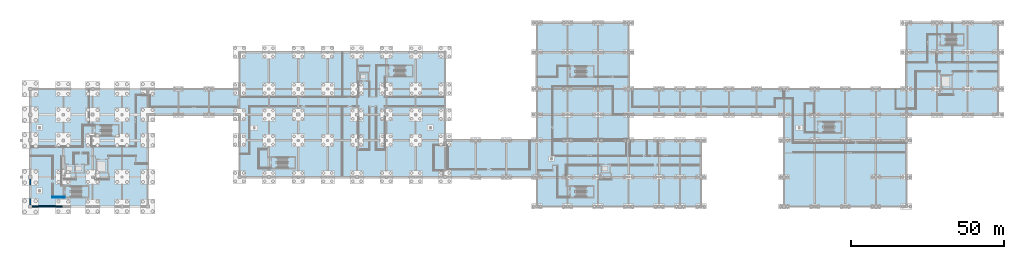
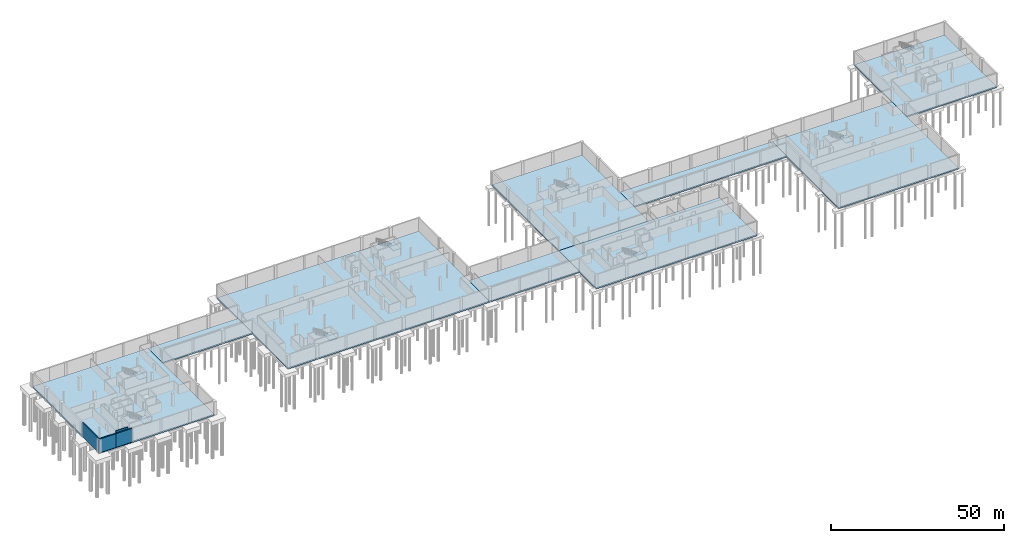
# One storey, part 11 of 28: 17 slabs, 4 walls, 8 elements without a shape of their own.
"""IFC4 building model written with IfcOpenShell, lengths in metres."""

from ifc_helpers import new_model, si_unit, direction, frame, frame_2d, origin, place, context, subcontext, project, spatial, polyline, rectangle, outline, extrude, material, layer, layer_set, type_object, element, aggregate, save


model = new_model("IFC4")

# Units and contexts
model_context = context("Model", 3, precision=1e-05, world=origin(), true_north=direction((0.0, 1.0)))
body_context = subcontext(model_context, "Body", "Model", "MODEL_VIEW")
ifc_project = project(units=[si_unit("LENGTHUNIT", "METRE"), si_unit("AREAUNIT", "SQUARE_METRE"), si_unit("VOLUMEUNIT", "CUBIC_METRE"), si_unit("PLANEANGLEUNIT", "RADIAN"), si_unit("MASSUNIT", "GRAM", prefix="KILO")], contexts=[model_context])

# Site, building, storey
site_placement = place(None, origin())
site = spatial("IfcSite", under=ifc_project, at=site_placement, CompositionType="ELEMENT")
building_placement = place(site_placement, origin())
building = spatial("IfcBuilding", under=site, at=building_placement, Name="Zereglee Splitstone Museum", CompositionType="ELEMENT")
storey_placement = place(building_placement, frame((0.0, 0.0, -4.800048828125)))
storey = spatial("IfcBuildingStorey", under=building, at=storey_placement, Name="B1", CompositionType="ELEMENT", Elevation=-4.800048828125)

# Slabs
ifc_material_1 = material(Name="Concrete C40/50", Category="concrete")
ifc_layer_1 = layer(ifc_material_1, 0.449951171875)
ifc_layer_set_1 = layer_set([ifc_layer_1], Name="Concrete C40/50")
slab_type_1 = type_object("IfcSlabType", Name="BS-01", PredefinedType="BASESLAB", material=ifc_layer_set_1)
slab_1_placement = place(storey_placement, frame((0.0, 0.0, -0.449951171875)))
element("IfcSlab", 1, at=slab_1_placement, inside=storey, type_object=slab_type_1, Name="Basement Base Slab B1-V1", PredefinedType="BASESLAB", context=body_context, shape_type="SweptSolid", body=[
    extrude(outline(polyline([(9.60009765625, 0.0), (48.0, 0.0), (48.0, 38.39990234375), (9.60009765625, 38.39990234375), (9.60009765625, 0.0)])), origin(), (0.0, 0.0, 1.0), 0.449951171875),
])
slab_2_placement = place(storey_placement, frame((0.0, 0.0, -0.449951171875)))
element("IfcSlab", 2, at=slab_2_placement, inside=storey, type_object=slab_type_1, Name="Basement Base Slab B1-V2", PredefinedType="BASESLAB", context=body_context, shape_type="SweptSolid", body=[
    extrude(outline(polyline([(78.0, 9.60009765625), (145.199951171875, 9.60009765625), (145.199951171875, 50.39990234375), (78.0, 50.39990234375), (78.0, 9.60009765625)])), origin(), (0.0, 0.0, 1.0), 0.449951171875),
])
slab_3_placement = place(storey_placement, frame((0.0, 0.0, -0.449951171875)))
element("IfcSlab", 3, at=slab_3_placement, inside=storey, type_object=slab_type_1, Name="Basement Base Slab B1-V3", PredefinedType="BASESLAB", context=body_context, shape_type="SweptSolid", body=[
    extrude(outline(polyline([(175.199951171875, 0.0), (228.800048828125, 0.0), (228.800048828125, 21.60009765625), (175.199951171875, 21.60009765625), (175.199951171875, 0.0)])), origin(), (0.0, 0.0, 1.0), 0.449951171875),
])
slab_4_placement = place(storey_placement, frame((0.0, 0.0, -0.449951171875)))
element("IfcSlab", 4, at=slab_4_placement, inside=storey, type_object=slab_type_1, Name="Basement Base Slab B1-V4", PredefinedType="BASESLAB", context=body_context, shape_type="SweptSolid", body=[
    extrude(outline(polyline([(175.199951171875, 21.60009765625), (205.199951171875, 21.60009765625), (205.199951171875, 60.0), (175.199951171875, 60.0), (175.199951171875, 21.60009765625)])), origin(), (0.0, 0.0, 1.0), 0.449951171875),
])
slab_5_placement = place(storey_placement, frame((0.0, 0.0, -0.449951171875)))
element("IfcSlab", 5, at=slab_5_placement, inside=storey, type_object=slab_type_1, Name="Basement Base Slab B1-V6", PredefinedType="BASESLAB", context=body_context, shape_type="SweptSolid", body=[
    extrude(outline(polyline([(296.0, 30.0), (326.0, 30.0), (326.0, 60.0), (296.0, 60.0), (296.0, 30.0)])), origin(), (0.0, 0.0, 1.0), 0.449951171875),
])
ifc_layer_2 = layer(ifc_material_1, 0.4599609375)
ifc_layer_set_2 = layer_set([ifc_layer_2], Name="Concrete C40/50")
slab_type_2 = type_object("IfcSlabType", Name="BS-02", PredefinedType="BASESLAB", material=ifc_layer_set_2)
slab_6_placement = place(storey_placement, frame((0.0, 0.0, -0.4599609375)))
element("IfcSlab", 6, at=slab_6_placement, inside=storey, type_object=slab_type_2, Name="Basement Base Slab B1-L1", PredefinedType="BASESLAB", context=body_context, shape_type="SweptSolid", body=[
    extrude(outline(polyline([(48.0, 30.0), (78.0, 30.0), (78.0, 38.39990234375), (48.0, 38.39990234375), (48.0, 30.0)])), origin(), (0.0, 0.0, 1.0), 0.4599609375),
])
slab_7_placement = place(storey_placement, frame((0.0, 0.0, -0.4599609375)))
element("IfcSlab", 7, at=slab_7_placement, inside=storey, type_object=slab_type_2, Name="Basement Base Slab B1-L2", PredefinedType="BASESLAB", context=body_context, shape_type="SweptSolid", body=[
    extrude(outline(polyline([(145.199951171875, 9.60009765625), (175.199951171875, 9.60009765625), (175.199951171875, 21.60009765625), (145.199951171875, 21.60009765625), (145.199951171875, 9.60009765625)])), origin(), (0.0, 0.0, 1.0), 0.4599609375),
])
slab_8_placement = place(storey_placement, frame((0.0, 0.0, -0.4599609375)))
element("IfcSlab", 8, at=slab_8_placement, inside=storey, type_object=slab_type_2, Name="Basement Base Slab B1-L3", PredefinedType="BASESLAB", context=body_context, shape_type="SweptSolid", body=[
    extrude(outline(polyline([(205.199951171875, 30.0), (256.0, 30.0), (256.0, 38.39990234375), (205.199951171875, 38.39990234375), (205.199951171875, 30.0)])), origin(), (0.0, 0.0, 1.0), 0.4599609375),
])
slab_9_placement = place(storey_placement, frame((0.0, 0.0, -0.4599609375)))
element("IfcSlab", 9, at=slab_9_placement, inside=storey, type_object=slab_type_2, Name="Basement Base Slab B1-V5", PredefinedType="BASESLAB", context=body_context, shape_type="SweptSolid", body=[
    extrude(outline(polyline([(256.0, 0.0), (296.0, 0.0), (296.0, 38.39990234375), (256.0, 38.39990234375), (256.0, 0.0)])), origin(), (0.0, 0.0, 1.0), 0.4599609375),
])

# Stair, slab
ifc_material_2 = material(Name="Concrete C35/45", Category="concrete")
stair_type_1 = type_object("IfcStairType", Name="ST-01A", PredefinedType="HALF_TURN_STAIR", material=ifc_material_2)
stair_1_placement = place(storey_placement, origin())
stair_1 = element("IfcStair", 10, at=stair_1_placement, inside=storey, type_object=stair_type_1, Name="B1 Protected Exit Stair ST-01 A", PredefinedType="HALF_TURN_STAIR")
ifc_layer_3 = layer(ifc_material_2, 0.199951171875)
ifc_layer_set_3 = layer_set([ifc_layer_3], Name="Concrete C35/45")
slab_type_3 = type_object("IfcSlabType", Name="ST-01A", PredefinedType="LANDING", material=ifc_layer_set_3)
slab_10_placement = place(storey_placement, frame((0.0, 0.0, 2.199951171875)))
slab_10 = element("IfcSlab", 11, at=slab_10_placement, type_object=slab_type_3, Name="ST-01A landing 1", PredefinedType="LANDING", context=body_context, shape_type="SweptSolid", body=[
    extrude(outline(polyline([(26.31005859375, 2.9599609375), (28.739990234375, 2.9599609375), (28.739990234375, 6.639892578125), (26.31005859375, 6.639892578125), (26.31005859375, 2.9599609375)])), origin(), (0.0, 0.0, 1.0), 0.2001953125),
])
aggregate(stair_1, [slab_10])

stair_type_2 = type_object("IfcStairType", Name="ST-02A", PredefinedType="HALF_TURN_STAIR", material=ifc_material_2)
stair_2_placement = place(storey_placement, origin())
stair_2 = element("IfcStair", 12, at=stair_2_placement, inside=storey, type_object=stair_type_2, Name="B1 Protected Exit Stair ST-02 A", PredefinedType="HALF_TURN_STAIR")
ifc_layer_4 = layer(ifc_material_2, 0.199951171875)
ifc_layer_set_4 = layer_set([ifc_layer_4], Name="Concrete C35/45")
slab_type_4 = type_object("IfcSlabType", Name="ST-02A", PredefinedType="LANDING", material=ifc_layer_set_4)
slab_11_placement = place(storey_placement, frame((0.0, 0.0, 2.199951171875)))
slab_11 = element("IfcSlab", 13, at=slab_11_placement, type_object=slab_type_4, Name="ST-02A landing 1", PredefinedType="LANDING", context=body_context, shape_type="SweptSolid", body=[
    extrude(outline(polyline([(36.110107421875, 22.9599609375), (38.5400390625, 22.9599609375), (38.5400390625, 26.639892578125), (36.110107421875, 26.639892578125), (36.110107421875, 22.9599609375)])), origin(), (0.0, 0.0, 1.0), 0.2001953125),
])
aggregate(stair_2, [slab_11])

stair_type_3 = type_object("IfcStairType", Name="ST-03A", PredefinedType="HALF_TURN_STAIR", material=ifc_material_2)
stair_3_placement = place(storey_placement, origin())
stair_3 = element("IfcStair", 14, at=stair_3_placement, inside=storey, type_object=stair_type_3, Name="B1 Protected Exit Stair ST-03 A", PredefinedType="HALF_TURN_STAIR")
ifc_layer_5 = layer(ifc_material_2, 0.199951171875)
ifc_layer_set_5 = layer_set([ifc_layer_5], Name="Concrete C35/45")
slab_type_5 = type_object("IfcSlabType", Name="ST-03A", PredefinedType="LANDING", material=ifc_layer_set_5)
slab_12_placement = place(storey_placement, frame((0.0, 0.0, 2.199951171875)))
slab_12 = element("IfcSlab", 15, at=slab_12_placement, type_object=slab_type_5, Name="ST-03A landing 1", PredefinedType="LANDING", context=body_context, shape_type="SweptSolid", body=[
    extrude(outline(polyline([(132.110107421875, 42.4599609375), (134.5400390625, 42.4599609375), (134.5400390625, 46.139892578125), (132.110107421875, 46.139892578125), (132.110107421875, 42.4599609375)])), origin(), (0.0, 0.0, 1.0), 0.2001953125),
])
aggregate(stair_3, [slab_12])

stair_type_4 = type_object("IfcStairType", Name="ST-04A", PredefinedType="HALF_TURN_STAIR", material=ifc_material_2)
stair_4_placement = place(storey_placement, origin())
stair_4 = element("IfcStair", 16, at=stair_4_placement, inside=storey, type_object=stair_type_4, Name="B1 Protected Exit Stair ST-04 A", PredefinedType="HALF_TURN_STAIR")
ifc_layer_6 = layer(ifc_material_2, 0.199951171875)
ifc_layer_set_6 = layer_set([ifc_layer_6], Name="Concrete C35/45")
slab_type_6 = type_object("IfcSlabType", Name="ST-04A", PredefinedType="LANDING", material=ifc_layer_set_6)
slab_13_placement = place(storey_placement, frame((0.0, 0.0, 2.199951171875)))
slab_13 = element("IfcSlab", 17, at=slab_13_placement, type_object=slab_type_6, Name="ST-04A landing 1", PredefinedType="LANDING", context=body_context, shape_type="SweptSolid", body=[
    extrude(outline(polyline([(191.31005859375, 2.9599609375), (193.739990234375, 2.9599609375), (193.739990234375, 6.639892578125), (191.31005859375, 6.639892578125), (191.31005859375, 2.9599609375)])), origin(), (0.0, 0.0, 1.0), 0.2001953125),
])
aggregate(stair_4, [slab_13])

stair_type_5 = type_object("IfcStairType", Name="ST-05A", PredefinedType="HALF_TURN_STAIR", material=ifc_material_2)
stair_5_placement = place(storey_placement, origin())
stair_5 = element("IfcStair", 18, at=stair_5_placement, inside=storey, type_object=stair_type_5, Name="B1 Protected Exit Stair ST-05 A", PredefinedType="HALF_TURN_STAIR")
ifc_layer_7 = layer(ifc_material_2, 0.199951171875)
ifc_layer_set_7 = layer_set([ifc_layer_7], Name="Concrete C35/45")
slab_type_7 = type_object("IfcSlabType", Name="ST-05A", PredefinedType="LANDING", material=ifc_layer_set_7)
slab_14_placement = place(storey_placement, frame((0.0, 0.0, 2.199951171875)))
slab_14 = element("IfcSlab", 19, at=slab_14_placement, type_object=slab_type_7, Name="ST-05A landing 1", PredefinedType="LANDING", context=body_context, shape_type="SweptSolid", body=[
    extrude(outline(polyline([(272.31005859375, 24.06005859375), (274.739990234375, 24.06005859375), (274.739990234375, 27.739990234375), (272.31005859375, 27.739990234375), (272.31005859375, 24.06005859375)])), origin(), (0.0, 0.0, 1.0), 0.2001953125),
])
aggregate(stair_5, [slab_14])

stair_type_6 = type_object("IfcStairType", Name="ST-06A", PredefinedType="HALF_TURN_STAIR", material=ifc_material_2)
stair_6_placement = place(storey_placement, origin())
stair_6 = element("IfcStair", 20, at=stair_6_placement, inside=storey, type_object=stair_type_6, Name="B1 Protected Exit Stair ST-06 A", PredefinedType="HALF_TURN_STAIR")
ifc_layer_8 = layer(ifc_material_2, 0.199951171875)
ifc_layer_set_8 = layer_set([ifc_layer_8], Name="Concrete C35/45")
slab_type_8 = type_object("IfcSlabType", Name="ST-06A", PredefinedType="LANDING", material=ifc_layer_set_8)
slab_15_placement = place(storey_placement, frame((0.0, 0.0, 2.199951171875)))
slab_15 = element("IfcSlab", 21, at=slab_15_placement, type_object=slab_type_8, Name="ST-06A landing 1", PredefinedType="LANDING", context=body_context, shape_type="SweptSolid", body=[
    extrude(outline(polyline([(93.7099609375, 12.4599609375), (96.139892578125, 12.4599609375), (96.139892578125, 16.139892578125), (93.7099609375, 16.139892578125), (93.7099609375, 12.4599609375)])), origin(), (0.0, 0.0, 1.0), 0.2001953125),
])
aggregate(stair_6, [slab_15])

stair_type_7 = type_object("IfcStairType", Name="ST-07A", PredefinedType="HALF_TURN_STAIR", material=ifc_material_2)
stair_7_placement = place(storey_placement, origin())
stair_7 = element("IfcStair", 22, at=stair_7_placement, inside=storey, type_object=stair_type_7, Name="B1 Protected Exit Stair ST-07 A", PredefinedType="HALF_TURN_STAIR")
ifc_layer_9 = layer(ifc_material_2, 0.199951171875)
ifc_layer_set_9 = layer_set([ifc_layer_9], Name="Concrete C35/45")
slab_type_9 = type_object("IfcSlabType", Name="ST-07A", PredefinedType="LANDING", material=ifc_layer_set_9)
slab_16_placement = place(storey_placement, frame((0.0, 0.0, 2.199951171875)))
slab_16 = element("IfcSlab", 23, at=slab_16_placement, type_object=slab_type_9, Name="ST-07A landing 1", PredefinedType="LANDING", context=body_context, shape_type="SweptSolid", body=[
    extrude(outline(polyline([(191.31005859375, 42.260009765625), (193.739990234375, 42.260009765625), (193.739990234375, 45.93994140625), (191.31005859375, 45.93994140625), (191.31005859375, 42.260009765625)])), origin(), (0.0, 0.0, 1.0), 0.2001953125),
])
aggregate(stair_7, [slab_16])

stair_type_8 = type_object("IfcStairType", Name="ST-08A", PredefinedType="HALF_TURN_STAIR", material=ifc_material_2)
stair_8_placement = place(storey_placement, origin())
stair_8 = element("IfcStair", 24, at=stair_8_placement, inside=storey, type_object=stair_type_8, Name="B1 Protected Exit Stair ST-08 A", PredefinedType="HALF_TURN_STAIR")
ifc_layer_10 = layer(ifc_material_2, 0.199951171875)
ifc_layer_set_10 = layer_set([ifc_layer_10], Name="Concrete C35/45")
slab_type_10 = type_object("IfcSlabType", Name="ST-08A", PredefinedType="LANDING", material=ifc_layer_set_10)
slab_17_placement = place(storey_placement, frame((0.0, 0.0, 2.199951171875)))
slab_17 = element("IfcSlab", 25, at=slab_17_placement, type_object=slab_type_10, Name="ST-08A landing 1", PredefinedType="LANDING", context=body_context, shape_type="SweptSolid", body=[
    extrude(outline(polyline([(312.31005859375, 52.659912109375), (314.739990234375, 52.659912109375), (314.739990234375, 56.340087890625), (312.31005859375, 56.340087890625), (312.31005859375, 52.659912109375)])), origin(), (0.0, 0.0, 1.0), 0.2001953125),
])
aggregate(stair_8, [slab_17])

# Walls
ifc_layer_11 = layer(ifc_material_1, 0.449951171875)
ifc_layer_set_11 = layer_set([ifc_layer_11], Name="Concrete C40/50")
wall_type_1 = type_object("IfcWallType", Name="ESW-01", PredefinedType="SHEAR", material=ifc_layer_set_11)
wall_1_placement = place(storey_placement, frame((9.60009765625, 9.60009765625, 0.0), z_axis=(0.0, 0.0, 1.0), x_axis=(0.0, -1.0, 0.0)))
element("IfcWall", 26, at=wall_1_placement, inside=storey, type_object=wall_type_1, Name="Basement Perimeter Retaining Wall B1-084", PredefinedType="SHEAR", context=body_context, shape_type="SweptSolid", body=[
    extrude(rectangle(XDim=9.60009765625, YDim=0.449951171875, at=frame_2d((4.800048828125, 0.0))), origin(), (0.0, 0.0, 1.0), 4.800048828125),
])
for number, where, z_axis, x_axis, name in (
    (27, (9.60009765625, 0.0, 0.0), (0.0, 0.0, 1.0), (1.0, 0.0, 0.0), "Basement Perimeter Retaining Wall B1-085"),
    (28, (15.0, 0.0, 0.0), (0.0, 0.0, 1.0), (1.0, 0.0, 0.0), "Basement Perimeter Retaining Wall B1-086"),
):
    element("IfcWall", number, at=place(storey_placement, frame(where, z_axis=z_axis, x_axis=x_axis)), inside=storey, type_object=wall_type_1, Name=name, PredefinedType="SHEAR", context=body_context, shape_type="SweptSolid", body=[
        extrude(rectangle(XDim=5.39990234375, YDim=0.449951171875, at=frame_2d((2.699951171875, 0.0))), origin(), (0.0, 0.0, 1.0), 4.800048828125),
    ])
ifc_layer_12 = layer(ifc_material_1, 0.25)
ifc_layer_set_12 = layer_set([ifc_layer_12], Name="Concrete C40/50")
wall_type_2 = type_object("IfcWallType", Name="IW-03", PredefinedType="PARTITIONING", material=ifc_layer_set_12)
wall_2_placement = place(storey_placement, frame((16.794921875, 3.02001953125, 0.0), z_axis=(0.0, 0.0, 1.0), x_axis=(1.0, 0.0, 0.0)))
element("IfcWall", 29, at=wall_2_placement, inside=storey, type_object=wall_type_2, Name="Interior Partition B1-0001 (Natural History Collection Archive)", PredefinedType="PARTITIONING", context=body_context, shape_type="SweptSolid", body=[
    extrude(rectangle(XDim=4.045166015625, YDim=0.25, at=frame_2d((2.0224609375, 0.0))), origin(), (0.0, 0.0, 1.0), 3.260009765625),
])

save(model, "model.ifc")
